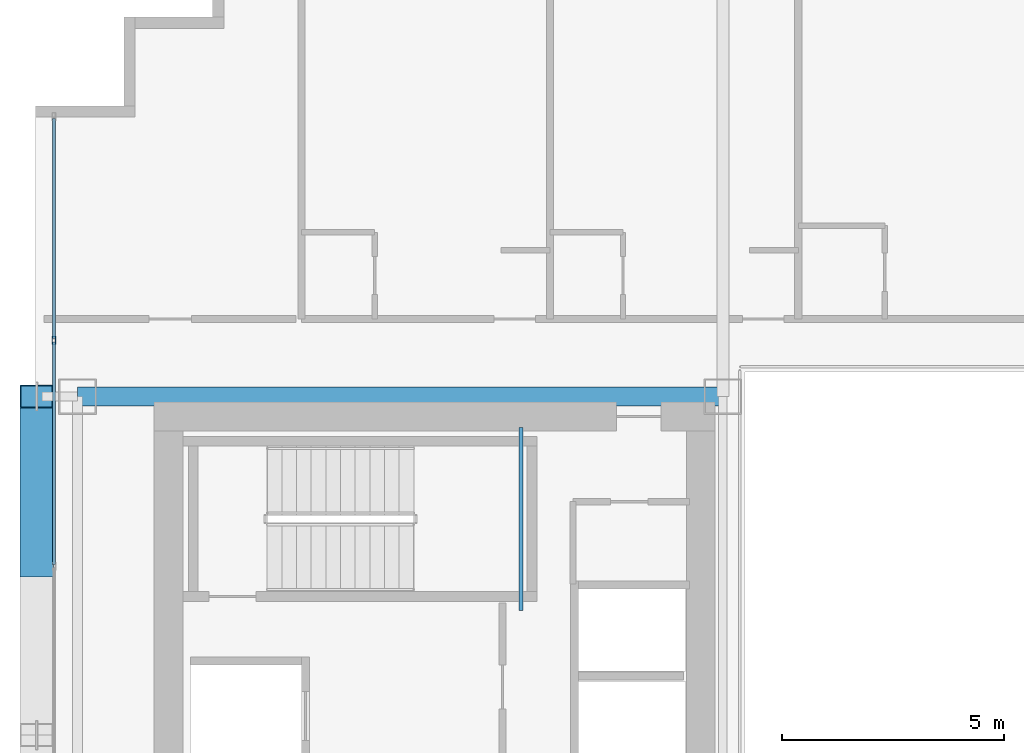
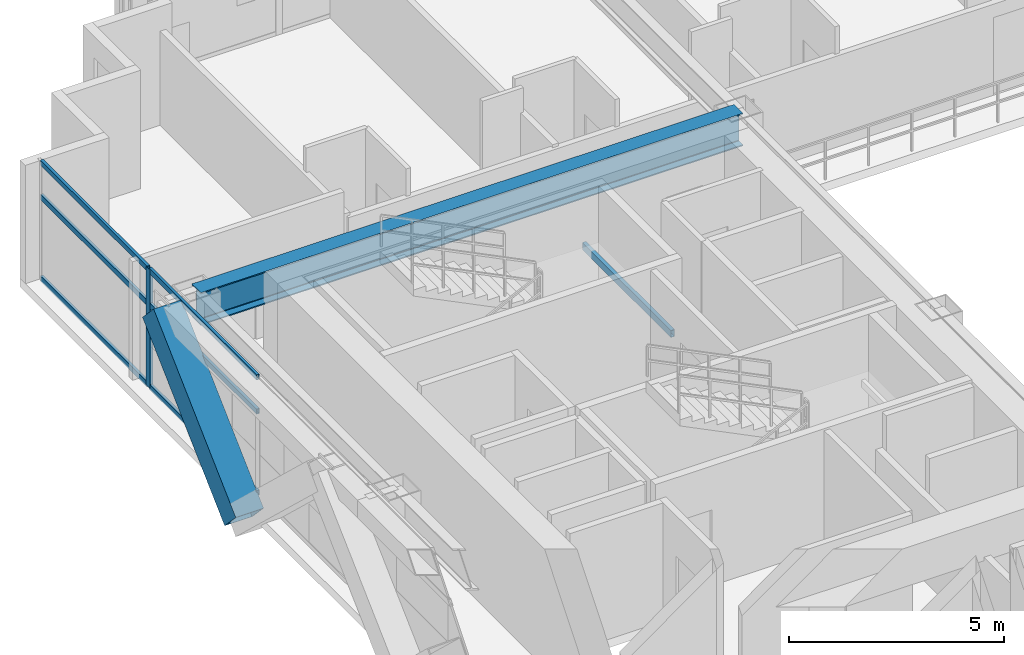
# One storey, part 16 of 35: 8 members, 2 beams, 1 element without a shape of its own.
"""IFC4 building model written with IfcOpenShell, lengths in metres."""

from ifc_helpers import new_model, si_unit, direction, frame, origin, origin_2d, place, context, subcontext, project, spatial, hollow_rectangle, i_section, extrude, source, transform, mapped, material, layer, layer_set, material_profile, profile_set, type_object, element, aggregate, save


model = new_model("IFC4")

# Units and contexts
model_context = context("Model", 3, precision=1e-05, world=origin(), true_north=direction((0.0, 1.0)))
body_context = subcontext(model_context, "Body", "Model", "MODEL_VIEW")
ifc_project = project(units=[si_unit("LENGTHUNIT", "METRE"), si_unit("AREAUNIT", "SQUARE_METRE"), si_unit("VOLUMEUNIT", "CUBIC_METRE"), si_unit("PLANEANGLEUNIT", "RADIAN"), si_unit("MASSUNIT", "GRAM", prefix="KILO")], contexts=[model_context])

# Site, building, storey
site_placement = place(None, origin())
site = spatial("IfcSite", under=ifc_project, at=site_placement, CompositionType="ELEMENT")
building_placement = place(site_placement, origin())
building = spatial("IfcBuilding", under=site, at=building_placement, Name="Ocotamira Hotel", CompositionType="ELEMENT")
storey_placement = place(building_placement, frame((0.0, 0.0, 144.0)))
storey = spatial("IfcBuildingStorey", under=building, at=storey_placement, Name="L36", CompositionType="ELEMENT", Elevation=144.0)

# Beams
ifc_material_1 = material(Name="Steel ASTM A500 Grade C", Category="steel")
ifc_material_profile_1 = material_profile(ifc_material_1, hollow_rectangle(XDim=0.10009765625, YDim=0.199951171875, WallThickness=0.008056640625, at=origin_2d()), Name="HSS200X100X8")
ifc_profile_set_1 = profile_set([ifc_material_profile_1], Name="Steel ASTM A500 Grade C")
beam_type_1 = type_object("IfcBeamType", Name="BM-STLDG-HSS200", PredefinedType="BEAM", material=ifc_profile_set_1)
shared_shape_1 = source(origin(), body_context, "Body", "SweptSolid", [
    extrude(hollow_rectangle(XDim=0.10009765625, YDim=0.199951171875, WallThickness=0.008056640625, at=origin_2d()), origin(), (0.0, 0.0, 1.0), 4.1201171875),
])
beam_1_placement = place(storey_placement, frame((18.949951171875, 32.6298828125, 1.5), z_axis=(0.0, 1.0, 0.0), x_axis=(-1.0, 0.0, 0.0)))
element("IfcBeam", 1, at=beam_1_placement, inside=storey, type_object=beam_type_1, Name="L36 Stair ST-2 Landing Bearer 1", PredefinedType="BEAM", context=body_context, shape_type="MappedRepresentation", body=[
    mapped(shared_shape_1, transform((0.0, 0.0, 0.0), scale=1.0)),
])
ifc_material_2 = material(Name="Steel ASTM A992 Grade 50", Category="steel")
ifc_material_profile_2 = material_profile(ifc_material_2, i_section(OverallWidth=0.41796875, OverallDepth=0.927001953125, WebThickness=0.019287109375, FlangeThickness=0.031982421875, FilletRadius=0.02392578125, at=origin_2d()), Name="W36X231")
ifc_profile_set_2 = profile_set([ifc_material_profile_2], Name="Steel ASTM A992 Grade 50")
beam_type_2 = type_object("IfcBeamType", Name="BM-GIRD-W36X231", PredefinedType="BEAM", material=ifc_profile_set_2)
shared_shape_2 = source(origin(), body_context, "Body", "SweptSolid", [
    extrude(i_section(OverallWidth=0.41796875, OverallDepth=0.927001953125, WebThickness=0.019287109375, FlangeThickness=0.031982421875, FilletRadius=0.02392578125, at=origin_2d()), origin(), (0.0, 0.0, 1.0), 14.550048828125),
])
beam_2_placement = place(storey_placement, frame((8.949951171875, 37.449951171875, 2.896484375), z_axis=(1.0, 0.0, 0.0), x_axis=(0.0, 1.0, 0.0)))
element("IfcBeam", 2, at=beam_2_placement, inside=storey, type_object=beam_type_2, Name="L36 Girder Y37.45 X8.95-23.5", PredefinedType="BEAM", context=body_context, shape_type="MappedRepresentation", body=[
    mapped(shared_shape_2, transform((0.0, 0.0, 0.0), scale=1.0)),
])

# Member
ifc_material_3 = material(Name="Pale-metal coated steel ASTM A913 Grade 65", Category="steel")
ifc_material_profile_3 = material_profile(ifc_material_3, hollow_rectangle(XDim=0.75, YDim=0.75, WallThickness=0.028076171875, at=origin_2d()), Name="BOX750X750X28")
ifc_profile_set_3 = profile_set([ifc_material_profile_3], Name="Pale-metal coated steel ASTM A913 Grade 65")
member_type_1 = type_object("IfcMemberType", Name="MEM-EXO-BOX750", PredefinedType="BRACE", material=ifc_profile_set_3)
shared_shape_3 = source(origin(), body_context, "Body", "SweptSolid", [
    extrude(hollow_rectangle(XDim=0.75, YDim=0.75, WallThickness=0.028076171875, at=origin_2d()), origin(), (0.0, 0.0, 1.0), 5.24658203125),
])
member_1_placement = place(storey_placement, frame((8.030029296875, 33.63330078125, -0.489990234375), z_axis=(0.0, 0.727442733726, 0.686168397078), x_axis=(-1.0, 0.0, 0.0)))
element("IfcMember", 3, at=member_1_placement, inside=storey, type_object=member_type_1, Name="L36 Exoskeleton Diagrid W2.2", PredefinedType="BRACE", context=body_context, shape_type="MappedRepresentation", body=[
    mapped(shared_shape_3, transform((0.0, 0.0, 0.0), scale=1.0)),
])

# Curtain wall, members
ifc_material_4 = material(Name="Anodised pale-metal aluminium and solar glass", Category="aluminium")
ifc_layer = layer(ifc_material_4, 0.179931640625)
ifc_layer_set = layer_set([ifc_layer], Name="Anodised pale-metal aluminium and solar glass")
curtain_wall_type = type_object("IfcCurtainWallType", Name="CW-SYS3-Z2", PredefinedType="NOTDEFINED", material=ifc_layer_set)
curtain_wall_placement = place(storey_placement, origin())
curtain_wall = element("IfcCurtainWall", 4, at=curtain_wall_placement, inside=storey, type_object=curtain_wall_type, Name="L36 Curtain Wall CW-3 CW-L36-W", PredefinedType="NOTDEFINED")
ifc_material_5 = material(Name="Anodised pale-metal aluminium 6063-T6", Category="aluminium")
ifc_material_profile_4 = material_profile(ifc_material_5, hollow_rectangle(XDim=0.074951171875, YDim=0.14990234375, WallThickness=0.006103515625, at=origin_2d()), Name="HSS150X75X6")
ifc_profile_set_4 = profile_set([ifc_material_profile_4], Name="Anodised pale-metal aluminium 6063-T6")
member_type_2 = type_object("IfcMemberType", Name="CWT-150X75", PredefinedType="USERDEFINED", material=ifc_profile_set_4)
shared_shape_4 = source(origin(), body_context, "Body", "SweptSolid", [
    extrude(hollow_rectangle(XDim=0.074951171875, YDim=0.14990234375, WallThickness=0.006103515625, at=origin_2d()), origin(), (0.0, 0.0, 1.0), 4.965576171875),
])
member_2_placement = place(storey_placement, frame((8.419921875, 38.75439453125, 0.03759765625), z_axis=(0.0, 1.0, 0.0), x_axis=(-1.0, 0.0, 0.0)))
member_2 = element("IfcMember", 5, at=member_2_placement, type_object=member_type_2, Name="CW-3 transom 7.1", ObjectType="TRANSOM", PredefinedType="USERDEFINED", context=body_context, shape_type="MappedRepresentation", body=[
    mapped(shared_shape_4, transform((0.0, 0.0, 0.0), scale=1.0)),
])
member_3_placement = place(storey_placement, frame((8.419921875, 38.75439453125, 2.35009765625), z_axis=(0.0, 1.0, 0.0), x_axis=(-1.0, 0.0, 0.0)))
member_3 = element("IfcMember", 6, at=member_3_placement, type_object=member_type_2, Name="CW-3 transom 7.2", ObjectType="TRANSOM", PredefinedType="USERDEFINED", context=body_context, shape_type="MappedRepresentation", body=[
    mapped(shared_shape_4, transform((0.0, 0.0, 0.0), scale=1.0)),
])
member_4_placement = place(storey_placement, frame((8.419921875, 38.75439453125, 3.322509765625), z_axis=(0.0, 1.0, 0.0), x_axis=(-1.0, 0.0, 0.0)))
member_4 = element("IfcMember", 7, at=member_4_placement, type_object=member_type_2, Name="CW-3 transom 7.3", ObjectType="TRANSOM", PredefinedType="USERDEFINED", context=body_context, shape_type="MappedRepresentation", body=[
    mapped(shared_shape_4, transform((0.0, 0.0, 0.0), scale=1.0)),
])
shared_shape_5 = source(origin(), body_context, "Body", "SweptSolid", [
    extrude(hollow_rectangle(XDim=0.074951171875, YDim=0.14990234375, WallThickness=0.006103515625, at=origin_2d()), origin(), (0.0, 0.0, 1.0), 5.005859375),
])
member_5_placement = place(storey_placement, frame((8.419921875, 33.66845703125, 0.03759765625), z_axis=(0.0, 1.0, 0.0), x_axis=(-1.0, 0.0, 0.0)))
member_5 = element("IfcMember", 8, at=member_5_placement, type_object=member_type_2, Name="CW-3 transom 6.1", ObjectType="TRANSOM", PredefinedType="USERDEFINED", context=body_context, shape_type="MappedRepresentation", body=[
    mapped(shared_shape_5, transform((0.0, 0.0, 0.0), scale=1.0)),
])
member_6_placement = place(storey_placement, frame((8.419921875, 33.66845703125, 2.35009765625), z_axis=(0.0, 1.0, 0.0), x_axis=(-1.0, 0.0, 0.0)))
member_6 = element("IfcMember", 9, at=member_6_placement, type_object=member_type_2, Name="CW-3 transom 6.2", ObjectType="TRANSOM", PredefinedType="USERDEFINED", context=body_context, shape_type="MappedRepresentation", body=[
    mapped(shared_shape_5, transform((0.0, 0.0, 0.0), scale=1.0)),
])
member_7_placement = place(storey_placement, frame((8.419921875, 33.66845703125, 3.322509765625), z_axis=(0.0, 1.0, 0.0), x_axis=(-1.0, 0.0, 0.0)))
member_7 = element("IfcMember", 10, at=member_7_placement, type_object=member_type_2, Name="CW-3 transom 6.3", ObjectType="TRANSOM", PredefinedType="USERDEFINED", context=body_context, shape_type="MappedRepresentation", body=[
    mapped(shared_shape_5, transform((0.0, 0.0, 0.0), scale=1.0)),
])
ifc_material_profile_5 = material_profile(ifc_material_5, hollow_rectangle(XDim=0.080078125, YDim=0.179931640625, WallThickness=0.006103515625, at=origin_2d()), Name="HSS180X80X6")
ifc_profile_set_5 = profile_set([ifc_material_profile_5], Name="Anodised pale-metal aluminium 6063-T6")
member_type_3 = type_object("IfcMemberType", Name="CWM-180X75", PredefinedType="MULLION", material=ifc_profile_set_5)
shared_shape_6 = source(origin(), body_context, "Body", "SweptSolid", [
    extrude(hollow_rectangle(XDim=0.080078125, YDim=0.179931640625, WallThickness=0.006103515625, at=origin_2d()), origin(), (0.0, 0.0, 1.0), 3.360107421875),
])
member_8_placement = place(storey_placement, frame((8.419921875, 38.71435546875, 0.0), z_axis=(0.0, 0.0, 1.0), x_axis=(-1.0, 0.0, 0.0)))
member_8 = element("IfcMember", 11, at=member_8_placement, type_object=member_type_3, Name="CW-3 mullion 7", PredefinedType="MULLION", context=body_context, shape_type="MappedRepresentation", body=[
    mapped(shared_shape_6, transform((0.0, 0.0, 0.0), scale=1.0)),
])
aggregate(curtain_wall, [member_8, member_5, member_6, member_7, member_2, member_3, member_4])

save(model, "model.ifc")
